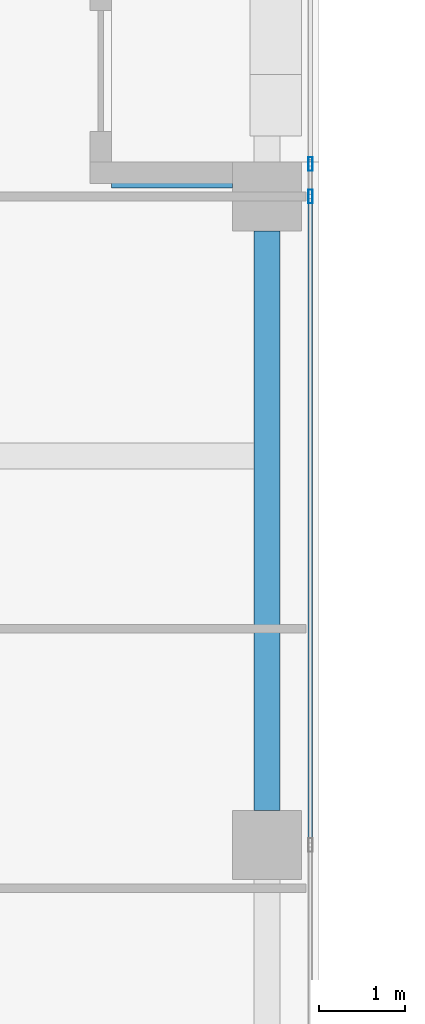
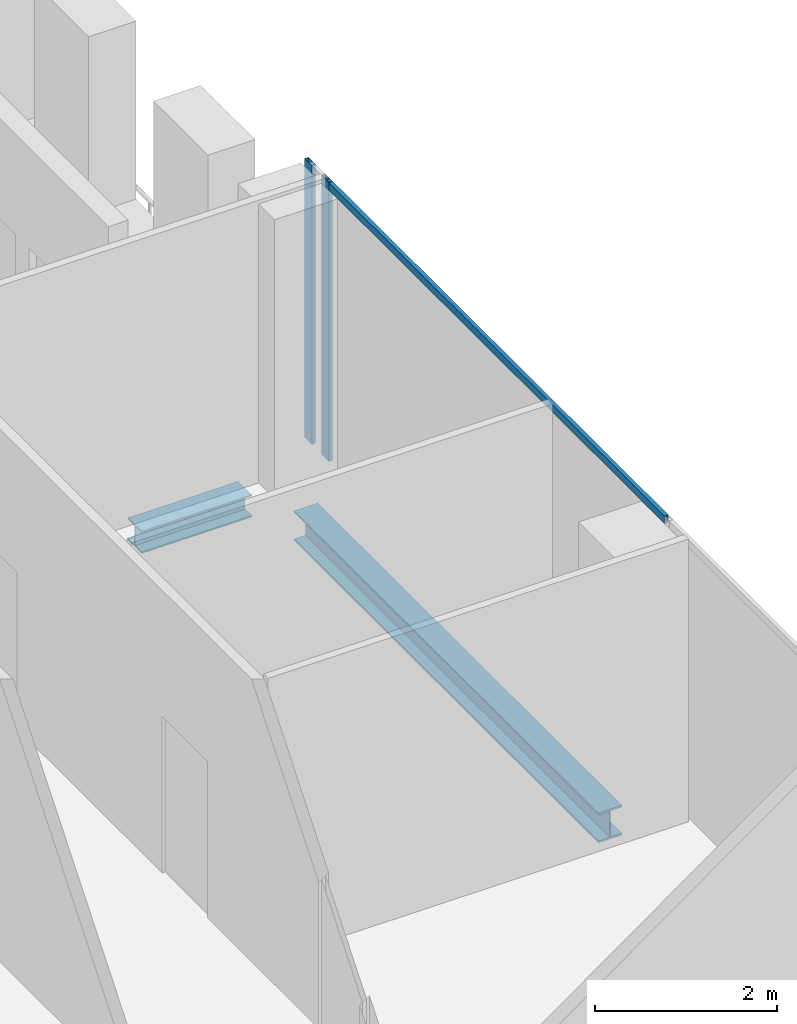
# One storey, part 11 of 28: 3 members, 2 beams, 1 element without a shape of its own.
"""IFC4 building model written with IfcOpenShell, lengths in metres."""

import ifcopenshell
import ifcopenshell.guid

model = None  # the IFC model being written
_history = None  # IfcOwnerHistory: only IFC2X3 demands one
_inside = {}  # id of a spatial element -> (the spatial element, [elements in it])
_under = {}  # id of a project, library or spatial element -> (it, [spatial elements below it])
_declared = {}  # id of a project -> (the project, [libraries it declares])
_typed = {}  # id of a type object -> (the type object, [elements of that type])
_made_of = {}  # id of a material, layer set ... -> (it, [elements and type objects made of it])


def new_model(schema):
    """Start an empty IFC model of exactly this schema.

    Asked for "IFC4X3", IfcOpenShell would pick the latest addendum, in which some entities
    have other attributes; the version numbers below select the first issue.
    IFC2X3 requires an IfcOwnerHistory on every rooted entity: one is made here for all.
    """
    global model, _history
    if schema == "IFC4X3":
        model = ifcopenshell.file(schema_version=(4, 3, 0, 0))
    else:
        model = ifcopenshell.file(schema=schema)
    _inside.clear()
    _under.clear()
    _declared.clear()
    _typed.clear()
    _made_of.clear()
    _history = None
    if model.schema == "IFC2X3":
        org = make("IfcOrganization", Name="unknown")
        user = make(
            "IfcPersonAndOrganization",
            ThePerson=make("IfcPerson", FamilyName="unknown"),
            TheOrganization=org,
        )
        app = make(
            "IfcApplication",
            ApplicationDeveloper=org,
            Version="unknown",
            ApplicationFullName="unknown",
            ApplicationIdentifier="unknown",
        )
        _history = make(
            "IfcOwnerHistory",
            OwningUser=user,
            OwningApplication=app,
            ChangeAction="ADDED",
            CreationDate=0,
        )
    return model


def make(cls, **values):
    """One entity of the class cls with the attributes given. An attribute that is None is left unset."""
    return model.create_entity(
        cls, **{name: value for name, value in values.items() if value is not None}
    )


def rooted(cls, **values):
    """An entity with a GlobalId (a new one), such as an element, a storey or a relation."""
    return make(cls, GlobalId=ifcopenshell.guid.new(), OwnerHistory=_history, **values)


def si_unit(unit_type, name, prefix=None):
    """IfcSIUnit, for example si_unit("LENGTHUNIT", "METRE", prefix="MILLI")."""
    return make("IfcSIUnit", UnitType=unit_type, Prefix=prefix, Name=name)


def assignment(units):
    """IfcUnitAssignment: the units of a project."""
    return None if units is None else make("IfcUnitAssignment", Units=units)


def point(xyz):
    """IfcCartesianPoint."""
    return None if xyz is None else make("IfcCartesianPoint", Coordinates=xyz)


def direction(xyz):
    """IfcDirection."""
    return None if xyz is None else make("IfcDirection", DirectionRatios=xyz)


def frame(location, z_axis=None, x_axis=None):
    """IfcAxis2Placement3D, a coordinate frame: its origin and axes. An axis left out is left unset."""
    return make(
        "IfcAxis2Placement3D",
        Location=point(location),
        Axis=direction(z_axis),
        RefDirection=direction(x_axis),
    )


def frame_2d(location, x_axis=None):
    """IfcAxis2Placement2D, a coordinate frame in the plane: its origin and x axis."""
    return make(
        "IfcAxis2Placement2D", Location=point(location), RefDirection=direction(x_axis)
    )


def origin():
    """The frame at (0, 0, 0) with its axes left unset."""
    return frame((0.0, 0.0, 0.0))


def origin_2d():
    """The frame at (0, 0) in the plane with its x axis left unset."""
    return frame_2d((0.0, 0.0))


def place(relative_to, where):
    """IfcLocalPlacement: puts the frame where relative to a parent placement (None: the world)."""
    return make(
        "IfcLocalPlacement", PlacementRelTo=relative_to, RelativePlacement=where
    )


def context(
    kind, dimensions, precision=None, world=None, true_north=None, identifier=None
):
    """IfcGeometricRepresentationContext, for example the 3D "Model" context."""
    return make(
        "IfcGeometricRepresentationContext",
        ContextIdentifier=identifier,
        ContextType=kind,
        CoordinateSpaceDimension=dimensions,
        Precision=precision,
        WorldCoordinateSystem=world,
        TrueNorth=true_north,
    )


def subcontext(parent, identifier, kind, view, scale=None):
    """IfcGeometricRepresentationSubContext, for example "Body" below "Model"."""
    return make(
        "IfcGeometricRepresentationSubContext",
        ContextIdentifier=identifier,
        ContextType=kind,
        ParentContext=parent,
        TargetScale=scale,
        TargetView=view,
    )


def project(units=None, contexts=None):
    """IfcProject with its units and contexts."""
    return rooted(
        "IfcProject",
        Name="project",
        RepresentationContexts=contexts,
        UnitsInContext=assignment(units),
    )


def spatial(cls, under=None, at=None, **own):
    """A site, building, storey or space (cls), placed at a placement, below another one or the project."""
    s = rooted(cls, ObjectPlacement=at, **own)
    if under is not None:
        _under.setdefault(under.id(), (under, []))[1].append(s)
    return s


def profile(cls, at=None, kind="AREA", **sizes):
    """A parametric profile (cls). Its sizes go by their IFC names, for example OverallWidth=200.0."""
    return make(cls, ProfileType=kind, Position=at, **sizes)


def hollow_rectangle(**sizes):
    """IfcRectangleHollowProfileDef."""
    return profile("IfcRectangleHollowProfileDef", **sizes)


def i_section(**sizes):
    """IfcIShapeProfileDef."""
    return profile("IfcIShapeProfileDef", **sizes)


def extrude(swept, where, along, depth):
    """IfcExtrudedAreaSolid: the profile swept, set in the frame where, extruded along a direction by depth."""
    return make(
        "IfcExtrudedAreaSolid",
        SweptArea=swept,
        Position=where,
        ExtrudedDirection=direction(along),
        Depth=depth,
    )


def shape(context_of_items, identifier, shape_type, items):
    """IfcShapeRepresentation: the items that make up one representation, for example the "Body"."""
    return make(
        "IfcShapeRepresentation",
        ContextOfItems=context_of_items,
        RepresentationIdentifier=identifier,
        RepresentationType=shape_type,
        Items=items,
    )


def source(mapping_origin, context_of_items, identifier, shape_type, items):
    """IfcRepresentationMap: a shape defined once, which mapped items show again and again."""
    return make(
        "IfcRepresentationMap",
        MappingOrigin=mapping_origin,
        MappedRepresentation=shape(context_of_items, identifier, shape_type, items),
    )


def transform(
    local_origin,
    x_axis=None,
    y_axis=None,
    z_axis=None,
    scale=None,
    scale2=None,
    scale3=None,
    uniform=True,
):
    """IfcCartesianTransformationOperator3D, or its non-uniform kind. x_axis, y_axis, z_axis: its Axis1, 2, 3."""
    if uniform:
        return make(
            "IfcCartesianTransformationOperator3D",
            Axis1=direction(x_axis),
            Axis2=direction(y_axis),
            LocalOrigin=point(local_origin),
            Scale=scale,
            Axis3=direction(z_axis),
        )
    return make(
        "IfcCartesianTransformationOperator3DnonUniform",
        Axis1=direction(x_axis),
        Axis2=direction(y_axis),
        LocalOrigin=point(local_origin),
        Scale=scale,
        Axis3=direction(z_axis),
        Scale2=scale2,
        Scale3=scale3,
    )


def mapped(mapping_source, mapping_target):
    """IfcMappedItem: shows the shape of a source again, moved by a transform."""
    return make(
        "IfcMappedItem", MappingSource=mapping_source, MappingTarget=mapping_target
    )


def material(Name=None, Category=None):
    """IfcMaterial."""
    return make("IfcMaterial", Name=Name, Category=Category)


def material_profile(
    of_material, cross_section, Name=None, Category=None, Priority=None
):
    """IfcMaterialProfile: a cross section and its material."""
    return make(
        "IfcMaterialProfile",
        Name=Name,
        Material=of_material,
        Profile=cross_section,
        Priority=Priority,
        Category=Category,
    )


def profile_set(profiles, Name=None, composite=None):
    """IfcMaterialProfileSet."""
    return make(
        "IfcMaterialProfileSet",
        Name=Name,
        MaterialProfiles=profiles,
        CompositeProfile=composite,
    )


def made_of(thing, what):
    """Note that an element or type object is made of a material, layer set ...; save() writes the relation."""
    if what is not None:
        _made_of.setdefault(what.id(), (what, []))[1].append(thing)
    return thing


def type_object(cls, material=None, **own):
    """A type object (cls), such as IfcWallType, which elements share."""
    return made_of(rooted(cls, **own), material)


def element(
    cls,
    number,
    at=None,
    inside=None,
    cuts=None,
    type_object=None,
    material=None,
    context=None,
    identifier="Body",
    shape_type=None,
    held_by="IfcProductDefinitionShape",
    body=None,
    shapes=None,
    **own,
):
    """One element of the class cls, such as IfcWall. Its Tag is "e" and its number.

    at: its placement. inside: the storey or other place that contains it. cuts: it is an
    opening in that element (IfcRelVoidsElement). A single representation is given by context,
    identifier, shape_type and body (its items); several are given by shapes. held_by: the class
    of the entity that holds the representations. save() writes the other relations.
    """
    e = rooted(cls, Tag="e%d" % number, ObjectPlacement=at, **own)
    if body is not None:
        shapes = [shape(context, identifier, shape_type, body)]
    if shapes is not None:
        e.Representation = make(held_by, Representations=shapes)
    if inside is not None:
        _inside.setdefault(inside.id(), (inside, []))[1].append(e)
    if cuts is not None:
        rooted(
            "IfcRelVoidsElement", RelatingBuildingElement=cuts, RelatedOpeningElement=e
        )
    if type_object is not None:
        _typed.setdefault(type_object.id(), (type_object, []))[1].append(e)
    return made_of(e, material)


def aggregate(whole, parts):
    """IfcRelAggregates: a whole, such as a stair, and the parts it consists of."""
    return rooted("IfcRelAggregates", RelatingObject=whole, RelatedObjects=parts)


def save(model, path):
    """Write the relations noted so far, then the file.

    IfcRelAggregates (storeys below a building ...), IfcRelContainedInSpatialStructure (elements
    in a storey), IfcRelDefinesByType, IfcRelAssociatesMaterial and IfcRelDeclares: one each for
    every whole, place, type object, material and project.
    """
    for whole, parts in _under.values():
        aggregate(whole, parts)
    for where, things in _inside.values():
        rooted(
            "IfcRelContainedInSpatialStructure",
            RelatedElements=things,
            RelatingStructure=where,
        )
    for kind, things in _typed.values():
        rooted("IfcRelDefinesByType", RelatedObjects=things, RelatingType=kind)
    for what, things in _made_of.values():
        rooted("IfcRelAssociatesMaterial", RelatedObjects=things, RelatingMaterial=what)
    for by, libraries in _declared.values():
        rooted("IfcRelDeclares", RelatingContext=by, RelatedDefinitions=libraries)
    model.write(path)


model = new_model("IFC4")

# Units and contexts
model_context = context("Model", 3, precision=1e-05, world=origin(), true_north=direction((0.0, 1.0)))
body_context = subcontext(model_context, "Body", "Model", "MODEL_VIEW")
ifc_project = project(units=[si_unit("LENGTHUNIT", "METRE"), si_unit("AREAUNIT", "SQUARE_METRE"), si_unit("VOLUMEUNIT", "CUBIC_METRE"), si_unit("PLANEANGLEUNIT", "RADIAN"), si_unit("MASSUNIT", "GRAM", prefix="KILO")], contexts=[model_context])

# Site, building, storey
site_placement = place(None, origin())
site = spatial("IfcSite", under=ifc_project, at=site_placement, CompositionType="ELEMENT")
building_placement = place(site_placement, origin())
building = spatial("IfcBuilding", under=site, at=building_placement, Name="Khomas Fold Tower", CompositionType="ELEMENT")
storey_placement = place(building_placement, frame((0.0, 0.0, 302.199951171875)))
storey = spatial("IfcBuildingStorey", under=building, at=storey_placement, Name="L68", CompositionType="ELEMENT", Elevation=302.199951171875)

# Beams
ifc_material_1 = material(Name="Steel S355", Category="steel")
ifc_material_profile_1 = material_profile(ifc_material_1, i_section(OverallWidth=0.300048828125, OverallDepth=0.39990234375, WebThickness=0.013427734375, FlangeThickness=0.02392578125, at=origin_2d()), Name="HE 400 B")
ifc_profile_set_1 = profile_set([ifc_material_profile_1], Name="Steel S355")
beam_type_1 = type_object("IfcBeamType", Name="HE 400 B spandrel SB5", PredefinedType="SPANDREL", material=ifc_profile_set_1)
shared_shape_1 = source(origin(), body_context, "Body", "SweptSolid", [
    extrude(i_section(OverallWidth=0.300048828125, OverallDepth=0.39990234375, WebThickness=0.013427734375, FlangeThickness=0.02392578125, at=origin_2d()), origin(), (0.0, 0.0, 1.0), 6.7001953125),
])
beam_1_placement = place(storey_placement, frame((47.39990234375, 27.39990234375, -0.449951171875), z_axis=(0.0, 1.0, 0.0), x_axis=(-1.0, 0.0, 0.0)))
element("IfcBeam", 1, at=beam_1_placement, inside=storey, type_object=beam_type_1, Name="SB5", PredefinedType="SPANDREL", context=body_context, shape_type="MappedRepresentation", body=[
    mapped(shared_shape_1, transform((0.0, 0.0, 0.0))),
])
ifc_material_2 = material(Name="Steel S355", Category="steel")
ifc_material_profile_2 = material_profile(ifc_material_2, i_section(OverallWidth=0.300048828125, OverallDepth=0.300048828125, WebThickness=0.010986328125, FlangeThickness=0.01904296875, at=origin_2d()), Name="HE 300 B")
ifc_profile_set_2 = profile_set([ifc_material_profile_2], Name="Steel S355")
beam_type_2 = type_object("IfcBeamType", Name="HE 300 B beam BB1", PredefinedType="BEAM", material=ifc_profile_set_2)
shared_shape_2 = source(origin(), body_context, "Body", "SweptSolid", [
    extrude(i_section(OverallWidth=0.300048828125, OverallDepth=0.300048828125, WebThickness=0.010986328125, FlangeThickness=0.01904296875, at=origin_2d()), origin(), (0.0, 0.0, 1.0), 1.39990234375),
])
beam_2_placement = place(storey_placement, frame((45.60009765625, 34.75, -0.39990234375), z_axis=(1.0, 0.0, 0.0), x_axis=(0.0, 1.0, 0.0)))
element("IfcBeam", 2, at=beam_2_placement, inside=storey, type_object=beam_type_2, Name="BB1", PredefinedType="BEAM", context=body_context, shape_type="MappedRepresentation", body=[
    mapped(shared_shape_2, transform((0.0, 0.0, 0.0))),
])

# Curtain wall, members
ifc_material_3 = material(Name="Aluminium framed double glazing", Category="aluminium")
curtain_wall_type = type_object("IfcCurtainWallType", Name="SK-Unitised clear-glass wall, upper floors CW3", PredefinedType="NOTDEFINED", material=ifc_material_3)
curtain_wall_placement = place(storey_placement, origin())
curtain_wall = element("IfcCurtainWall", 3, at=curtain_wall_placement, inside=storey, type_object=curtain_wall_type, Name="CW3 run L68 03-0", PredefinedType="NOTDEFINED")
ifc_material_4 = material(Name="Aluminium", Category="aluminium")
ifc_material_profile_3 = material_profile(ifc_material_4, hollow_rectangle(XDim=0.050048828125, YDim=0.159912109375, WallThickness=0.00390625, at=origin_2d()), Name="SK-Unitised clear-glass wall, upper floors mullion CW3-M")
ifc_profile_set_3 = profile_set([ifc_material_profile_3], Name="Aluminium")
member_type_1 = type_object("IfcMemberType", Name="SK-Unitised clear-glass wall, upper floors mullion CW3-M", PredefinedType="MULLION", material=ifc_profile_set_3)
shared_shape_3 = source(origin(), body_context, "Body", "SweptSolid", [
    extrude(hollow_rectangle(XDim=0.050048828125, YDim=0.159912109375, WallThickness=0.00390625, at=origin_2d()), origin(), (0.0, 0.0, 1.0), 3.75),
])
member_1_placement = place(storey_placement, frame((47.89990234375, 34.5, 0.0), z_axis=(0.0, 0.0, 1.0), x_axis=(-1.0, 0.0, 0.0)))
member_1 = element("IfcMember", 4, at=member_1_placement, type_object=member_type_1, Name="CW3 mullion 5", PredefinedType="MULLION", context=body_context, shape_type="MappedRepresentation", body=[
    mapped(shared_shape_3, transform((0.0, 0.0, 0.0))),
])
member_2_placement = place(storey_placement, frame((47.89990234375, 34.875, 0.0), z_axis=(0.0, 0.0, 1.0), x_axis=(-1.0, 0.0, 0.0)))
member_2 = element("IfcMember", 5, at=member_2_placement, type_object=member_type_1, Name="CW3 mullion 6", PredefinedType="MULLION", context=body_context, shape_type="MappedRepresentation", body=[
    mapped(shared_shape_3, transform((0.0, 0.0, 0.0))),
])
ifc_material_5 = material(Name="Aluminium", Category="aluminium")
ifc_material_profile_4 = material_profile(ifc_material_5, hollow_rectangle(XDim=0.050048828125, YDim=0.10009765625, WallThickness=0.00390625, at=origin_2d()), Name="SK-Unitised clear-glass wall, upper floors transom CW3-T")
ifc_profile_set_4 = profile_set([ifc_material_profile_4], Name="Aluminium")
member_type_2 = type_object("IfcMemberType", Name="SK-Unitised clear-glass wall, upper floors transom CW3-T", PredefinedType="USERDEFINED", material=ifc_profile_set_4)
shared_shape_4 = source(origin(), body_context, "Body", "SweptSolid", [
    extrude(hollow_rectangle(XDim=0.050048828125, YDim=0.10009765625, WallThickness=0.00390625, at=origin_2d()), origin(), (0.0, 0.0, 1.0), 7.4501953125),
])
member_3_placement = place(storey_placement, frame((47.89990234375, 27.02490234375, 3.699951171875), z_axis=(0.0, 1.0, 0.0), x_axis=(-1.0, 0.0, 0.0)))
member_3 = element("IfcMember", 6, at=member_3_placement, type_object=member_type_2, Name="CW3 transom 4", ObjectType="TRANSOM", PredefinedType="USERDEFINED", context=body_context, shape_type="MappedRepresentation", body=[
    mapped(shared_shape_4, transform((0.0, 0.0, 0.0))),
])
aggregate(curtain_wall, [member_1, member_2, member_3])

save(model, "model.ifc")
